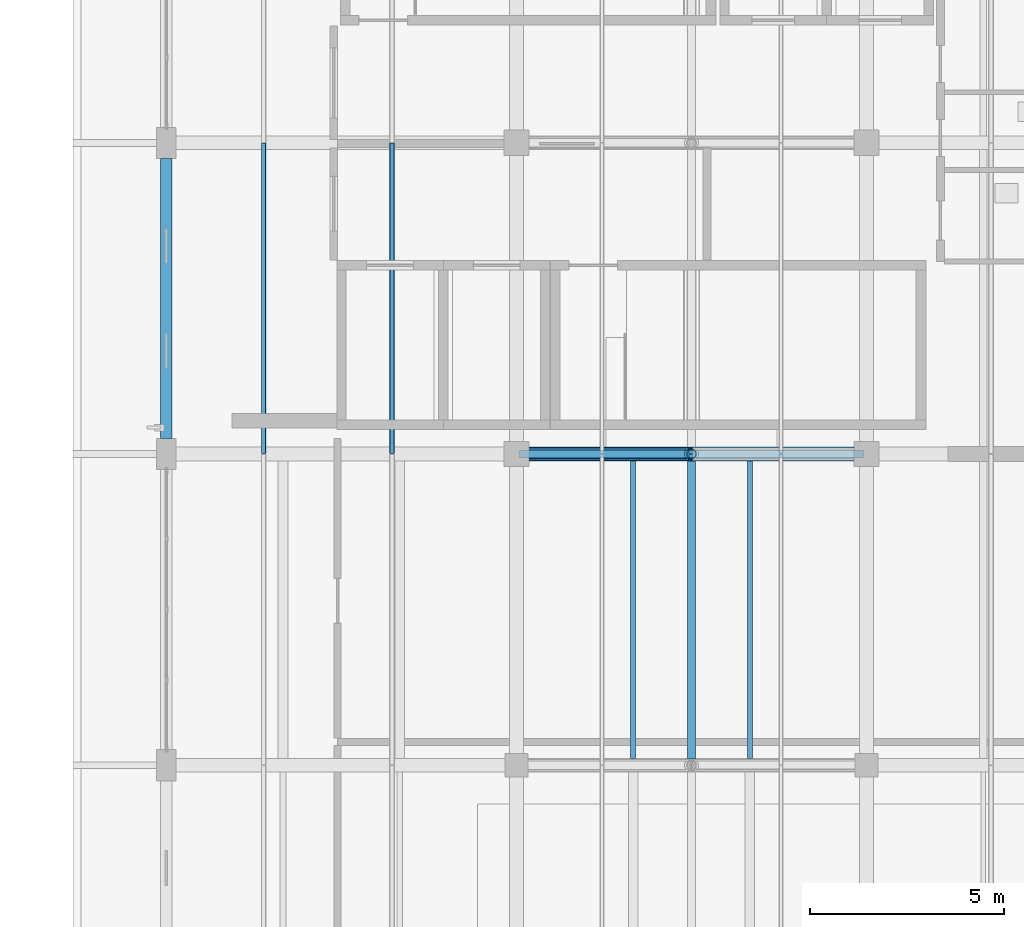
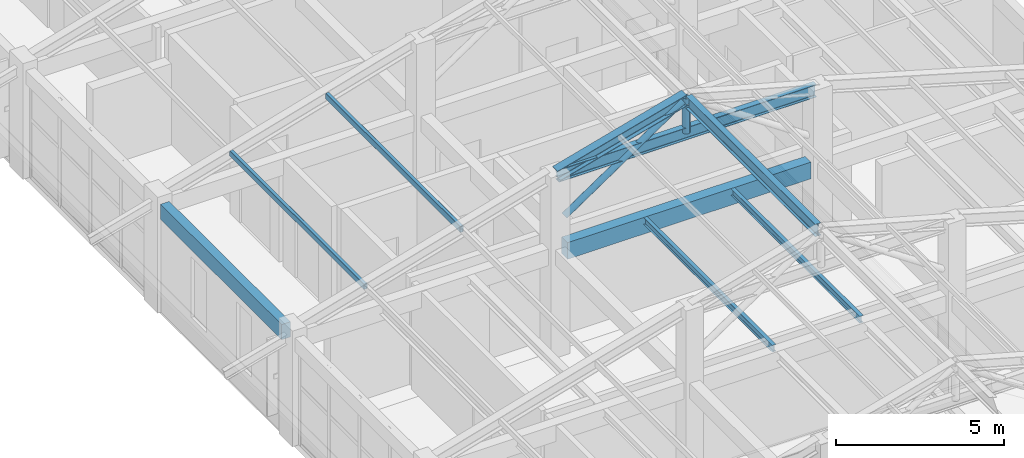
# One storey, part 17 of 58: 6 beams, 5 members.
"""IFC4 building model written with IfcOpenShell, lengths in metres."""

from ifc_helpers import new_model, si_unit, derived_unit, direction, frame, origin, origin_2d, place, context, subcontext, project, spatial, rectangle, hollow_rectangle, hollow_circle, i_section, extrude, material, material_profile, profile_set, type_object, element, save


model = new_model("IFC4")

# Units and contexts
model_context = context("Model", 3, precision=1e-05, world=origin(), true_north=direction((0.0, 1.0)))
body_context = subcontext(model_context, "Body", "Model", "MODEL_VIEW")
ifc_project = project(units=[si_unit("LENGTHUNIT", "METRE"), si_unit("AREAUNIT", "SQUARE_METRE"), si_unit("VOLUMEUNIT", "CUBIC_METRE"), si_unit("PLANEANGLEUNIT", "RADIAN"), si_unit("MASSUNIT", "GRAM", prefix="KILO"), derived_unit("THERMALTRANSMITTANCEUNIT", [(si_unit("MASSUNIT", "GRAM", prefix="KILO"), 1), (si_unit("TIMEUNIT", "SECOND"), -3), (si_unit("THERMODYNAMICTEMPERATUREUNIT", "KELVIN"), -1)])], contexts=[model_context])

# Site, building, storey
site_placement = place(None, origin())
site = spatial("IfcSite", under=ifc_project, at=site_placement, CompositionType="ELEMENT")
building_placement = place(site_placement, origin())
building = spatial("IfcBuilding", under=site, at=building_placement, Name="Zhenchuan Archway Interchange", CompositionType="ELEMENT")
storey_placement = place(building_placement, frame((0.0, 0.0, 22.800048828125)))
storey = spatial("IfcBuildingStorey", under=building, at=storey_placement, Name="L05", CompositionType="ELEMENT", Elevation=22.800048828125)

# Beams
ifc_material_1 = material(Name="Concrete C40", Category="concrete")
ifc_material_profile_1 = material_profile(ifc_material_1, rectangle(XDim=0.35009765625, YDim=0.60009765625, at=origin_2d()), Name="RC 350x600")
ifc_profile_set_1 = profile_set([ifc_material_profile_1], Name="Concrete C40")
beam_type_1 = type_object("IfcBeamType", Name="BM_RC_350x600", PredefinedType="BEAM", material=ifc_profile_set_1)
beam_1_placement = place(storey_placement, frame((153.324951171875, 48.0, 3.619873046875), z_axis=(1.0, 0.0, 0.0), x_axis=(0.0, 1.0, 0.0)))
element("IfcBeam", 1, at=beam_1_placement, inside=storey, type_object=beam_type_1, Name="Beam G:18-19 (L05)", PredefinedType="BEAM", context=body_context, shape_type="SweptSolid", body=[
    extrude(rectangle(XDim=0.35009765625, YDim=0.60009765625, at=origin_2d()), origin(), (0.0, 0.0, 1.0), 8.35009765625),
])
ifc_material_2 = material(Name="Steel Q355", Category="steel")
ifc_material_profile_2 = material_profile(ifc_material_2, i_section(OverallWidth=0.300048828125, OverallDepth=0.389892578125, WebThickness=0.010009765625, FlangeThickness=0.01611328125, FilletRadius=0.02001953125, at=origin_2d()), Name="HM 390x300")
ifc_profile_set_2 = profile_set([ifc_material_profile_2], Name="Steel Q355")
beam_type_2 = type_object("IfcBeamType", Name="BM_STL_HM390", PredefinedType="BEAM", material=ifc_profile_set_2)
beam_2_placement = place(storey_placement, frame((153.050048828125, 48.0, 6.419921875), z_axis=(0.964108539649, 0.0, 0.265508425055), x_axis=(0.0, 1.0, 0.0)))
element("IfcBeam", 2, at=beam_2_placement, inside=storey, type_object=beam_type_2, Name="ROOF TRUSS command wing T4 west apex rafter", PredefinedType="BEAM", context=body_context, shape_type="SweptSolid", body=[
    extrude(i_section(OverallWidth=0.300048828125, OverallDepth=0.389892578125, WebThickness=0.010009765625, FlangeThickness=0.01611328125, FilletRadius=0.02001953125, at=origin_2d()), origin(), (0.0, 0.0, 1.0), 4.5947265625),
])
ifc_material_profile_3 = material_profile(ifc_material_2, i_section(OverallWidth=0.199951171875, OverallDepth=0.449951171875, WebThickness=0.009033203125, FlangeThickness=0.013916015625, FilletRadius=0.01806640625, at=origin_2d()), Name="HN 450x200")
ifc_profile_set_3 = profile_set([ifc_material_profile_3], Name="Steel Q355")
beam_type_3 = type_object("IfcBeamType", Name="BM_STL_HN450", PredefinedType="BEAM", material=ifc_profile_set_3)
beam_3_placement = place(storey_placement, frame((157.5, 40.159912109375, 7.579833984375), z_axis=(0.0, 1.0, 0.0), x_axis=(-1.0, 0.0, 0.0)))
element("IfcBeam", 3, at=beam_3_placement, inside=storey, type_object=beam_type_3, Name="Command wing ridge girder 3", PredefinedType="BEAM", context=body_context, shape_type="SweptSolid", body=[
    extrude(i_section(OverallWidth=0.199951171875, OverallDepth=0.449951171875, WebThickness=0.009033203125, FlangeThickness=0.013916015625, FilletRadius=0.01806640625, at=origin_2d()), origin(), (0.0, 0.0, 1.0), 7.68017578125),
])
ifc_material_profile_4 = material_profile(ifc_material_2, i_section(OverallWidth=0.125, OverallDepth=0.25, WebThickness=0.006103515625, FlangeThickness=0.009033203125, FilletRadius=0.011962890625, at=origin_2d()), Name="HN 250x125")
ifc_profile_set_4 = profile_set([ifc_material_profile_4], Name="Steel Q355")
beam_type_4 = type_object("IfcBeamType", Name="JST_STL_HN250", PredefinedType="JOIST", material=ifc_profile_set_4)
for number, where, z_axis, x_axis, name in (
    (4, (156.0, 40.175048828125, 3.794921875), (0.0, 1.0, 0.0), (-1.0, 0.0, 0.0), "Secondary joist 18-19/F-G #1 (L05)"),
    (5, (159.0, 40.175048828125, 3.794921875), (0.0, 1.0, 0.0), (-1.0, 0.0, 0.0), "Secondary joist 18-19/F-G #2 (L05)"),
):
    element("IfcBeam", number, at=place(storey_placement, frame(where, z_axis=z_axis, x_axis=x_axis)), inside=storey, type_object=beam_type_4, Name=name, PredefinedType="JOIST", context=body_context, shape_type="SweptSolid", body=[
        extrude(i_section(OverallWidth=0.125, OverallDepth=0.25, WebThickness=0.006103515625, FlangeThickness=0.009033203125, FilletRadius=0.011962890625, at=origin_2d()), origin(), (0.0, 0.0, 1.0), 7.64990234375),
    ])

# Members
ifc_material_profile_5 = material_profile(ifc_material_2, i_section(OverallWidth=0.199951171875, OverallDepth=0.449951171875, WebThickness=0.009033203125, FlangeThickness=0.013916015625, FilletRadius=0.01806640625, at=origin_2d()), Name="HN 450x200")
ifc_profile_set_5 = profile_set([ifc_material_profile_5], Name="Steel Q355")
member_type_1 = type_object("IfcMemberType", Name="MB_CHD_HN450", PredefinedType="CHORD", material=ifc_profile_set_5)
member_1_placement = place(storey_placement, frame((153.080078125, 48.0, 6.3798828125), z_axis=(1.0, 0.0, 0.0), x_axis=(0.0, 1.0, 0.0)))
element("IfcMember", 6, at=member_1_placement, inside=storey, type_object=member_type_1, Name="ROOF TRUSS command wing T4 ridge collar tie", PredefinedType="CHORD", context=body_context, shape_type="SweptSolid", body=[
    extrude(i_section(OverallWidth=0.199951171875, OverallDepth=0.449951171875, WebThickness=0.009033203125, FlangeThickness=0.013916015625, FilletRadius=0.01806640625, at=origin_2d()), origin(), (0.0, 0.0, 1.0), 8.83984375),
])
ifc_material_profile_6 = material_profile(ifc_material_2, hollow_circle(Radius=0.109619140625, WallThickness=0.008056640625, at=origin_2d()), Name="CHS 219x8")
ifc_profile_set_6 = profile_set([ifc_material_profile_6], Name="Steel Q355")
member_type_2 = type_object("IfcMemberType", Name="MB_CHS219", PredefinedType="BRACE", material=ifc_profile_set_6)
member_2_placement = place(storey_placement, frame((153.320068359375, 48.0, 4.800048828125), z_axis=(0.827937334182, 0.0, 0.560820622541), x_axis=(0.0, 1.0, 0.0)))
element("IfcMember", 7, at=member_2_placement, inside=storey, type_object=member_type_2, Name="ROOF TRUSS command wing T4 west apex diagonal", PredefinedType="BRACE", context=body_context, shape_type="SweptSolid", body=[
    extrude(hollow_circle(Radius=0.109619140625, WallThickness=0.008056640625, at=origin_2d()), origin(), (0.0, 0.0, 1.0), 4.903564453125),
])
ifc_material_profile_7 = material_profile(ifc_material_2, hollow_circle(Radius=0.12255859375, WallThickness=0.010009765625, at=origin_2d()), Name="CHS 245x10")
ifc_profile_set_7 = profile_set([ifc_material_profile_7], Name="Steel Q355")
member_type_3 = type_object("IfcMemberType", Name="MB_CHS245", PredefinedType="BRACE", material=ifc_profile_set_7)
member_3_placement = place(storey_placement, frame((157.5, 48.0, 6.3798828125), z_axis=(0.0, 0.0, 1.0), x_axis=(1.0, 0.0, 0.0)))
element("IfcMember", 8, at=member_3_placement, inside=storey, type_object=member_type_3, Name="ROOF TRUSS command wing T4 apex king-post", PredefinedType="BRACE", context=body_context, shape_type="SweptSolid", body=[
    extrude(hollow_circle(Radius=0.12255859375, WallThickness=0.010009765625, at=origin_2d()), origin(), (0.0, 0.0, 1.0), 1.280029296875),
])
ifc_material_profile_8 = material_profile(ifc_material_2, hollow_rectangle(XDim=0.1201171875, YDim=0.199951171875, WallThickness=0.008056640625, InnerFilletRadius=0.008056640625, OuterFilletRadius=0.01611328125, at=origin_2d()), Name="RHS 200x120x8")
ifc_profile_set_8 = profile_set([ifc_material_profile_8], Name="Steel Q355")
member_type_4 = type_object("IfcMemberType", Name="MB_RHS200", PredefinedType="PURLIN", material=ifc_profile_set_8)
member_4_placement = place(storey_placement, frame((146.5, 48.008056640625, 4.619873046875), z_axis=(0.0, 1.0, 0.0), x_axis=(-1.0, 0.0, 0.0)))
element("IfcMember", 9, at=member_4_placement, inside=storey, type_object=member_type_4, Name="Command wing roof purlin B4-P1", PredefinedType="PURLIN", context=body_context, shape_type="SweptSolid", body=[
    extrude(hollow_rectangle(XDim=0.1201171875, YDim=0.199951171875, WallThickness=0.008056640625, InnerFilletRadius=0.008056640625, OuterFilletRadius=0.01611328125, at=origin_2d()), origin(), (0.0, 0.0, 1.0), 7.98388671875),
])
ifc_material_profile_9 = material_profile(ifc_material_2, hollow_rectangle(XDim=0.1201171875, YDim=0.219970703125, WallThickness=0.008056640625, InnerFilletRadius=0.008056640625, OuterFilletRadius=0.01611328125, at=origin_2d()), Name="RHS 220x120x8")
ifc_profile_set_9 = profile_set([ifc_material_profile_9], Name="Steel Q355")
member_type_5 = type_object("IfcMemberType", Name="MB_RHS220", PredefinedType="PURLIN", material=ifc_profile_set_9)
member_5_placement = place(storey_placement, frame((149.800048828125, 48.008056640625, 5.5400390625), z_axis=(0.0, 1.0, 0.0), x_axis=(-1.0, 0.0, 0.0)))
element("IfcMember", 10, at=member_5_placement, inside=storey, type_object=member_type_5, Name="Command wing roof purlin B4-P2", PredefinedType="PURLIN", context=body_context, shape_type="SweptSolid", body=[
    extrude(hollow_rectangle(XDim=0.1201171875, YDim=0.219970703125, WallThickness=0.008056640625, InnerFilletRadius=0.008056640625, OuterFilletRadius=0.01611328125, at=origin_2d()), origin(), (0.0, 0.0, 1.0), 7.98388671875),
])

# Beam
ifc_material_profile_10 = material_profile(ifc_material_1, rectangle(XDim=0.300048828125, YDim=0.550048828125, at=origin_2d()), Name="RC 300x550")
ifc_profile_set_10 = profile_set([ifc_material_profile_10], Name="Concrete C40")
beam_type_5 = type_object("IfcBeamType", Name="SP_RC_300x550", PredefinedType="SPANDREL", material=ifc_profile_set_10)
beam_4_placement = place(storey_placement, frame((144.0, 48.39990234375, 3.64501953125), z_axis=(0.0, 1.0, 0.0), x_axis=(-1.0, 0.0, 0.0)))
element("IfcBeam", 11, at=beam_4_placement, inside=storey, type_object=beam_type_5, Name="Beam 17:G-H (L05)", PredefinedType="SPANDREL", context=body_context, shape_type="SweptSolid", body=[
    extrude(rectangle(XDim=0.300048828125, YDim=0.550048828125, at=origin_2d()), origin(), (0.0, 0.0, 1.0), 7.2001953125),
])

save(model, "model.ifc")
